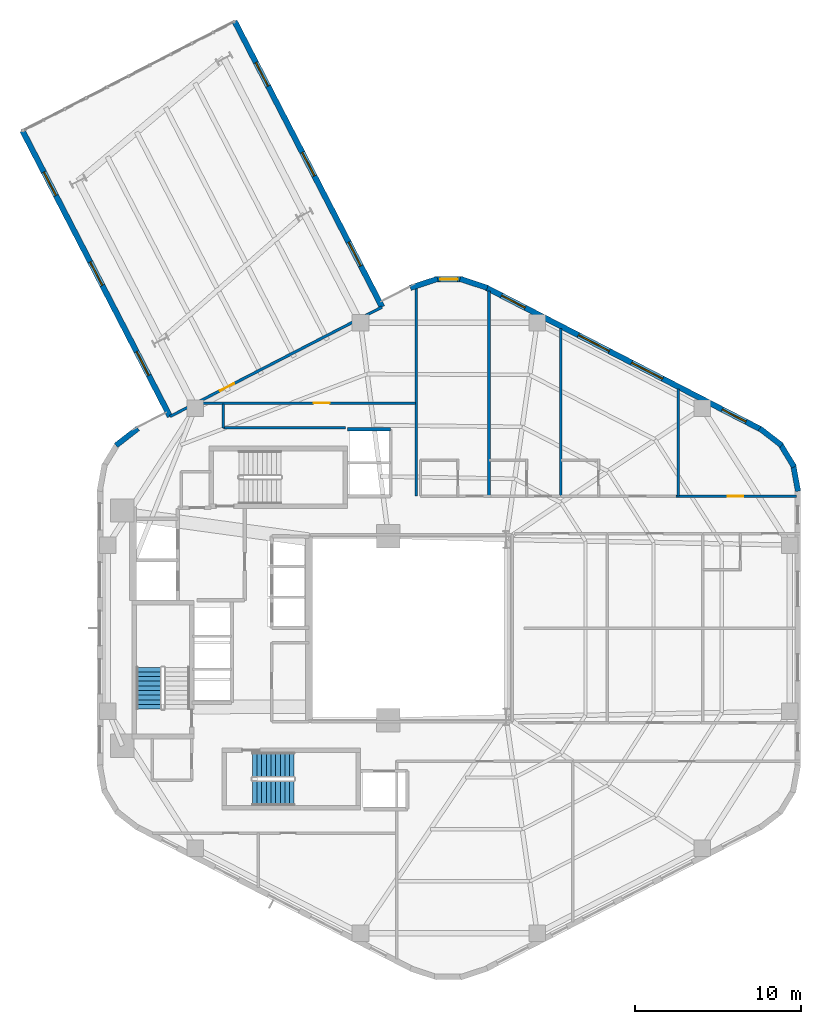
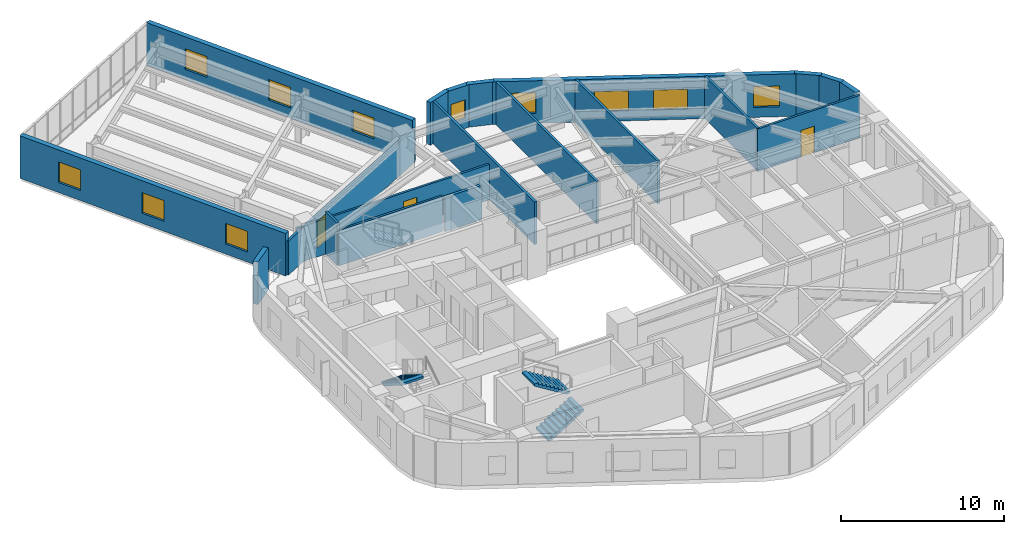
# One storey, part 9 of 11: 20 walls, 11 windows, 3 doors, 3 stair flights, 14 openings, 2 elements without a shape of their own.
"""IFC4 building model written with IfcOpenShell, lengths in metres."""

from ifc_helpers import new_model, si_unit, direction, frame, frame_2d, origin, place, context, subcontext, project, spatial, polyline, rectangle, outline, extrude, material, layer, layer_set, type_object, element, fill, aggregate, save


model = new_model("IFC4")

# Units and contexts
model_context = context("Model", 3, precision=1e-05, world=origin(), true_north=direction((0.0, 1.0)))
body_context = subcontext(model_context, "Body", "Model", "MODEL_VIEW")
ifc_project = project(units=[si_unit("LENGTHUNIT", "METRE"), si_unit("AREAUNIT", "SQUARE_METRE"), si_unit("VOLUMEUNIT", "CUBIC_METRE"), si_unit("PLANEANGLEUNIT", "RADIAN"), si_unit("MASSUNIT", "GRAM", prefix="KILO"), si_unit("THERMODYNAMICTEMPERATUREUNIT", "KELVIN"), si_unit("POWERUNIT", "WATT")], contexts=[model_context])

# Site, building, storey
site_placement = place(None, origin())
site = spatial("IfcSite", under=ifc_project, at=site_placement, CompositionType="ELEMENT")
building_placement = place(site_placement, origin())
building = spatial("IfcBuilding", under=site, at=building_placement, Name="Skarre Station Tower", CompositionType="ELEMENT")
storey_placement = place(building_placement, frame((0.0, 0.0, 146.39990234375)))
storey = spatial("IfcBuildingStorey", under=building, at=storey_placement, Name="L39", CompositionType="ELEMENT", Elevation=146.39990234375)

# Wall, opening, door
ifc_material_1 = material(Name="Acoustic Steel-Stud Gypsum Partition", Category="steel")
ifc_layer_1 = layer(ifc_material_1, 0.14990234375, Name="Acoustic Steel-Stud Gypsum Partition")
ifc_layer_set_1 = layer_set([ifc_layer_1], Name="Acoustic Steel-Stud Gypsum Partition")
wall_type_1 = type_object("IfcWallType", Name="Fire-Rated Corridor Acoustic Partition 150", PredefinedType="PARTITIONING", material=ifc_layer_set_1)
wall_1_placement = place(storey_placement, frame((34.0, 37.580078125, 0.0), z_axis=(0.0, 0.0, 1.0), x_axis=(-1.0, 0.0, 0.0)))
wall_1 = element("IfcWall", 1, at=wall_1_placement, inside=storey, type_object=wall_type_1, Name="L39 Interior Partition WL-PT-L39-NWW1-CW", PredefinedType="PARTITIONING", context=body_context, shape_type="SweptSolid", body=[
    extrude(rectangle(XDim=13.70703125, YDim=0.14990234375, at=frame_2d((6.853515625, 0.0))), origin(), (0.0, 0.0, 1.0), 2.656982421875),
])
opening_1_placement = place(wall_1_placement, frame((5.195068359375, 0.0, 0.0)))
opening_1 = element("IfcOpeningElement", 2, at=opening_1_placement, cuts=wall_1, Name="Opening DR-FD60", PredefinedType="OPENING", context=body_context, shape_type="SweptSolid", body=[
    extrude(rectangle(XDim=0.9599609375, YDim=2.0, at=frame_2d((0.47998046875, 1.0))), frame((0.0, 0.0849609375, 0.0), z_axis=(0.0, -1.0, 0.0), x_axis=(1.0, 0.0, 0.0)), (0.0, 0.0, 1.0), 0.169921875),
])
ifc_material_2 = material(Name="Nordic White-Oak Veneer Solid-Core Fire Leaf", Category="wood")
door_type = type_object("IfcDoorType", Name="Corridor Suite Entry Fire Door FD60 960x2150", OperationType="SINGLE_SWING_LEFT", PredefinedType="DOOR", material=ifc_material_2)
door_1_placement = place(opening_1_placement, origin())
door_1 = element("IfcDoor", 3, at=door_1_placement, inside=storey, type_object=door_type, Name="L39 NWW1 Entry Door", OperationType="SINGLE_SWING_LEFT", OverallHeight=2.0, OverallWidth=0.9599609375, PredefinedType="DOOR", context=body_context, shape_type="SweptSolid", body=[
    extrude(rectangle(XDim=0.9599609375, YDim=2.0, at=frame_2d((0.47998046875, 1.0))), frame((0.0, 0.02490234375, 0.0), z_axis=(0.0, -1.0, 0.0), x_axis=(1.0, 0.0, 0.0)), (0.0, 0.0, 1.0), 0.050048828125),
])
fill(opening_1, door_1)

wall_2_placement = place(storey_placement, frame((56.987060546875, 31.9599609375, 0.0), z_axis=(0.0, 0.0, 1.0), x_axis=(-1.0, 0.0, 0.0)))
wall_2 = element("IfcWall", 4, at=wall_2_placement, inside=storey, type_object=wall_type_1, Name="L39 Interior Partition WL-PT-L39-NW4-CW", PredefinedType="PARTITIONING", context=body_context, shape_type="SweptSolid", body=[
    extrude(rectangle(XDim=7.26904296875, YDim=0.14990234375, at=frame_2d((3.634521484375, 0.0))), origin(), (0.0, 0.0, 1.0), 3.190185546875),
])
opening_2_placement = place(wall_2_placement, frame((3.2119140625, 0.0, 0.0)))
opening_2 = element("IfcOpeningElement", 5, at=opening_2_placement, cuts=wall_2, Name="Opening DR-FD60", PredefinedType="OPENING", context=body_context, shape_type="SweptSolid", body=[
    extrude(rectangle(XDim=0.9599609375, YDim=2.0, at=frame_2d((0.47998046875, 1.0))), frame((0.0, 0.0849609375, 0.0), z_axis=(0.0, -1.0, 0.0), x_axis=(1.0, 0.0, 0.0)), (0.0, 0.0, 1.0), 0.169921875),
])
door_2_placement = place(opening_2_placement, origin())
door_2 = element("IfcDoor", 6, at=door_2_placement, inside=storey, type_object=door_type, Name="L39 NW4 Entry Door", OperationType="SINGLE_SWING_LEFT", OverallHeight=2.0, OverallWidth=0.9599609375, PredefinedType="DOOR", context=body_context, shape_type="SweptSolid", body=[
    extrude(rectangle(XDim=0.9599609375, YDim=2.0, at=frame_2d((0.47998046875, 1.0))), frame((0.0, 0.02490234375, 0.0), z_axis=(0.0, -1.0, 0.0), x_axis=(1.0, 0.0, 0.0)), (0.0, 0.0, 1.0), 0.050048828125),
])
fill(opening_2, door_2)

# Walls
wall_3_placement = place(storey_placement, frame((29.7529296875, 36.080078125, 0.0), z_axis=(0.0, 0.0, 1.0), x_axis=(-1.0, 0.0, 0.0)))
element("IfcWall", 7, at=wall_3_placement, inside=storey, type_object=wall_type_1, Name="L39 Interior Partition WL-PT-L39-CSEAL-1", PredefinedType="PARTITIONING", context=body_context, shape_type="SweptSolid", body=[
    extrude(rectangle(XDim=7.35302734375, YDim=0.14990234375, at=frame_2d((3.676513671875, 0.0))), origin(), (0.0, 0.0, 1.0), 2.656982421875),
])
wall_4_placement = place(storey_placement, frame((22.39990234375, 36.080078125, 0.0), z_axis=(0.0, 0.0, 1.0), x_axis=(0.0, 1.0, 0.0)))
element("IfcWall", 8, at=wall_4_placement, inside=storey, type_object=wall_type_1, Name="L39 Interior Partition WL-PT-L39-CSEAL-2", PredefinedType="PARTITIONING", context=body_context, shape_type="SweptSolid", body=[
    extrude(rectangle(XDim=1.429931640625, YDim=0.14990234375, at=frame_2d((0.71484375, 0.0))), origin(), (0.0, 0.0, 1.0), 3.190185546875),
])

# Wall, openings, windows
ifc_material_3 = material(Name="Precast concrete C45/55", Category="concrete")
ifc_layer_2 = layer(ifc_material_3, 0.340087890625, Name="Precast concrete C45/55")
ifc_layer_set_2 = layer_set([ifc_layer_2], Name="Precast concrete C45/55")
wall_type_2 = type_object("IfcWallType", Name="Nordic Honed Precast Facet Wall 340", PredefinedType="STANDARD", material=ifc_layer_set_2)
wall_5_placement = place(storey_placement, frame((38.23095703125, 44.55810546875, 0.0), z_axis=(0.0, 0.0, 1.0), x_axis=(0.888613612362, -0.458656568606, 0.0)))
wall_5 = element("IfcWall", 9, at=wall_5_placement, inside=storey, type_object=wall_type_2, Name="L39 Facet 0 Nordic Precast Masonry Wall", PredefinedType="STANDARD", context=body_context, shape_type="SweptSolid", body=[
    extrude(rectangle(XDim=18.680908203125, YDim=0.340087890625, at=frame_2d((9.34033203125, 0.0))), origin(), (0.0, 0.0, 1.0), 3.190185546875),
])
opening_3_placement = place(wall_5_placement, frame((1.06591796875, 0.0, 0.75)))
opening_3 = element("IfcOpeningElement", 10, at=opening_3_placement, cuts=wall_5, Name="Opening WN-Z2A", PredefinedType="OPENING", context=body_context, shape_type="SweptSolid", body=[
    extrude(rectangle(XDim=1.60009765625, YDim=1.550048828125, at=frame_2d((0.800048828125, 0.77490234375))), frame((0.0, 0.179931640625, 0.0), z_axis=(0.0, -1.0, 0.0), x_axis=(1.0, 0.0, 0.0)), (0.0, 0.0, 1.0), 0.360107421875),
])
opening_4_placement = place(wall_5_placement, frame((6.280029296875, 0.0, 0.75)))
opening_4 = element("IfcOpeningElement", 11, at=opening_4_placement, cuts=wall_5, Name="Opening WN-Z2B", PredefinedType="OPENING", context=body_context, shape_type="SweptSolid", body=[
    extrude(rectangle(XDim=2.10009765625, YDim=1.5, at=frame_2d((1.050048828125, 0.75))), frame((0.0, 0.179931640625, 0.0), z_axis=(0.0, -1.0, 0.0), x_axis=(1.0, 0.0, 0.0)), (0.0, 0.0, 1.0), 0.360107421875),
])
opening_5_placement = place(wall_5_placement, frame((9.90087890625, 0.0, 0.75)))
opening_5 = element("IfcOpeningElement", 12, at=opening_5_placement, cuts=wall_5, Name="Opening WN-Z2B", PredefinedType="OPENING", context=body_context, shape_type="SweptSolid", body=[
    extrude(rectangle(XDim=2.10009765625, YDim=1.5, at=frame_2d((1.050048828125, 0.75))), frame((0.0, 0.179931640625, 0.0), z_axis=(0.0, -1.0, 0.0), x_axis=(1.0, 0.0, 0.0)), (0.0, 0.0, 1.0), 0.360107421875),
])
opening_6_placement = place(wall_5_placement, frame((16.05810546875, 0.0, 0.75)))
opening_6 = element("IfcOpeningElement", 13, at=opening_6_placement, cuts=wall_5, Name="Opening WN-Z2A", PredefinedType="OPENING", context=body_context, shape_type="SweptSolid", body=[
    extrude(rectangle(XDim=1.60009765625, YDim=1.550048828125, at=frame_2d((0.800048828125, 0.77490234375))), frame((0.0, 0.179931640625, 0.0), z_axis=(0.0, -1.0, 0.0), x_axis=(1.0, 0.0, 0.0)), (0.0, 0.0, 1.0), 0.360107421875),
])
ifc_material_4 = material(Name="Low-Iron Triple Glazing with Bronze Anodized Frame", Category="glass")
window_type_1 = type_object("IfcWindowType", Name="Nordic Residential Tall Window 1600x1550", PartitioningType="SINGLE_PANEL", PredefinedType="WINDOW", material=ifc_material_4)
window_1_placement = place(opening_3_placement, origin())
window_1 = element("IfcWindow", 14, at=window_1_placement, inside=storey, type_object=window_type_1, Name="L39 Facade Window WL-FAC-L39-F0-1", OverallHeight=1.550048828125, OverallWidth=1.60009765625, PartitioningType="SINGLE_PANEL", PredefinedType="WINDOW", context=body_context, shape_type="SweptSolid", body=[
    extrude(rectangle(XDim=1.60009765625, YDim=1.550048828125, at=frame_2d((0.800048828125, 0.77490234375))), frame((0.0, 0.030029296875, 0.0), z_axis=(0.0, -1.0, 0.0), x_axis=(1.0, 0.0, 0.0)), (0.0, 0.0, 1.0), 0.06005859375),
])
fill(opening_3, window_1)
window_2_placement = place(opening_6_placement, origin())
window_2 = element("IfcWindow", 15, at=window_2_placement, inside=storey, type_object=window_type_1, Name="L39 Facade Window WL-FAC-L39-F0-4", OverallHeight=1.550048828125, OverallWidth=1.60009765625, PartitioningType="SINGLE_PANEL", PredefinedType="WINDOW", context=body_context, shape_type="SweptSolid", body=[
    extrude(rectangle(XDim=1.60009765625, YDim=1.550048828125, at=frame_2d((0.800048828125, 0.77490234375))), frame((0.0, 0.030029296875, 0.0), z_axis=(0.0, -1.0, 0.0), x_axis=(1.0, 0.0, 0.0)), (0.0, 0.0, 1.0), 0.06005859375),
])
fill(opening_6, window_2)
window_type_2 = type_object("IfcWindowType", Name="Nordic Residential Twin Window 2100x1500", PartitioningType="SINGLE_PANEL", PredefinedType="WINDOW", material=ifc_material_4)
window_3_placement = place(opening_4_placement, origin())
window_3 = element("IfcWindow", 16, at=window_3_placement, inside=storey, type_object=window_type_2, Name="L39 Facade Window WL-FAC-L39-F0-2", OverallHeight=1.5, OverallWidth=2.10009765625, PartitioningType="SINGLE_PANEL", PredefinedType="WINDOW", context=body_context, shape_type="SweptSolid", body=[
    extrude(rectangle(XDim=2.10009765625, YDim=1.5, at=frame_2d((1.050048828125, 0.75))), frame((0.0, 0.030029296875, 0.0), z_axis=(0.0, -1.0, 0.0), x_axis=(1.0, 0.0, 0.0)), (0.0, 0.0, 1.0), 0.06005859375),
])
fill(opening_4, window_3)
window_4_placement = place(opening_5_placement, origin())
window_4 = element("IfcWindow", 17, at=window_4_placement, inside=storey, type_object=window_type_2, Name="L39 Facade Window WL-FAC-L39-F0-3", OverallHeight=1.5, OverallWidth=2.10009765625, PartitioningType="SINGLE_PANEL", PredefinedType="WINDOW", context=body_context, shape_type="SweptSolid", body=[
    extrude(rectangle(XDim=2.10009765625, YDim=1.5, at=frame_2d((1.050048828125, 0.75))), frame((0.0, 0.030029296875, 0.0), z_axis=(0.0, -1.0, 0.0), x_axis=(1.0, 0.0, 0.0)), (0.0, 0.0, 1.0), 0.06005859375),
])
fill(opening_5, window_4)

wall_6_placement = place(storey_placement, frame((23.074951171875, 60.611083984375, 0.0), z_axis=(0.0, 0.0, 1.0), x_axis=(0.458619197522, -0.888632900395, 0.0)))
wall_6 = element("IfcWall", 18, at=wall_6_placement, inside=storey, type_object=wall_type_2, Name="L39 SB-3 Side 1 Precast Wall", PredefinedType="STANDARD", context=body_context, shape_type="SweptSolid", body=[
    extrude(rectangle(XDim=19.3994140625, YDim=0.340087890625, at=frame_2d((9.69970703125, 0.0))), origin(), (0.0, 0.0, 1.0), 3.190185546875),
])
opening_7_placement = place(wall_6_placement, frame((2.800048828125, 0.0, 0.75)))
opening_7 = element("IfcOpeningElement", 19, at=opening_7_placement, cuts=wall_6, Name="Opening WN-Z2A", PredefinedType="OPENING", context=body_context, shape_type="SweptSolid", body=[
    extrude(rectangle(XDim=1.60009765625, YDim=1.550048828125, at=frame_2d((0.800048828125, 0.77490234375))), frame((0.0, 0.179931640625, 0.0), z_axis=(0.0, -1.0, 0.0), x_axis=(1.0, 0.0, 0.0)), (0.0, 0.0, 1.0), 0.360107421875),
])
opening_8_placement = place(wall_6_placement, frame((8.89990234375, 0.0, 0.75)))
opening_8 = element("IfcOpeningElement", 20, at=opening_8_placement, cuts=wall_6, Name="Opening WN-Z2A", PredefinedType="OPENING", context=body_context, shape_type="SweptSolid", body=[
    extrude(rectangle(XDim=1.60009765625, YDim=1.550048828125, at=frame_2d((0.800048828125, 0.77490234375))), frame((0.0, 0.179931640625, 0.0), z_axis=(0.0, -1.0, 0.0), x_axis=(1.0, 0.0, 0.0)), (0.0, 0.0, 1.0), 0.360107421875),
])
opening_9_placement = place(wall_6_placement, frame((15.0, 0.0, 0.75)))
opening_9 = element("IfcOpeningElement", 21, at=opening_9_placement, cuts=wall_6, Name="Opening WN-Z2A", PredefinedType="OPENING", context=body_context, shape_type="SweptSolid", body=[
    extrude(rectangle(XDim=1.60009765625, YDim=1.550048828125, at=frame_2d((0.800048828125, 0.77490234375))), frame((0.0, 0.179931640625, 0.0), z_axis=(0.0, -1.0, 0.0), x_axis=(1.0, 0.0, 0.0)), (0.0, 0.0, 1.0), 0.360107421875),
])
window_5_placement = place(opening_7_placement, origin())
window_5 = element("IfcWindow", 22, at=window_5_placement, inside=storey, type_object=window_type_1, Name="L39 Facade Window WL-SB-3-L39-S1-1", OverallHeight=1.550048828125, OverallWidth=1.60009765625, PartitioningType="SINGLE_PANEL", PredefinedType="WINDOW", context=body_context, shape_type="SweptSolid", body=[
    extrude(rectangle(XDim=1.60009765625, YDim=1.550048828125, at=frame_2d((0.800048828125, 0.77490234375))), frame((0.0, 0.030029296875, 0.0), z_axis=(0.0, -1.0, 0.0), x_axis=(1.0, 0.0, 0.0)), (0.0, 0.0, 1.0), 0.06005859375),
])
fill(opening_7, window_5)
window_6_placement = place(opening_8_placement, origin())
window_6 = element("IfcWindow", 23, at=window_6_placement, inside=storey, type_object=window_type_1, Name="L39 Facade Window WL-SB-3-L39-S1-2", OverallHeight=1.550048828125, OverallWidth=1.60009765625, PartitioningType="SINGLE_PANEL", PredefinedType="WINDOW", context=body_context, shape_type="SweptSolid", body=[
    extrude(rectangle(XDim=1.60009765625, YDim=1.550048828125, at=frame_2d((0.800048828125, 0.77490234375))), frame((0.0, 0.030029296875, 0.0), z_axis=(0.0, -1.0, 0.0), x_axis=(1.0, 0.0, 0.0)), (0.0, 0.0, 1.0), 0.06005859375),
])
fill(opening_8, window_6)
window_7_placement = place(opening_9_placement, origin())
window_7 = element("IfcWindow", 24, at=window_7_placement, inside=storey, type_object=window_type_1, Name="L39 Facade Window WL-SB-3-L39-S1-3", OverallHeight=1.550048828125, OverallWidth=1.60009765625, PartitioningType="SINGLE_PANEL", PredefinedType="WINDOW", context=body_context, shape_type="SweptSolid", body=[
    extrude(rectangle(XDim=1.60009765625, YDim=1.550048828125, at=frame_2d((0.800048828125, 0.77490234375))), frame((0.0, 0.030029296875, 0.0), z_axis=(0.0, -1.0, 0.0), x_axis=(1.0, 0.0, 0.0)), (0.0, 0.0, 1.0), 0.06005859375),
])
fill(opening_9, window_7)

wall_7_placement = place(storey_placement, frame((19.177001953125, 36.76708984375, 0.0), z_axis=(0.0, 0.0, 1.0), x_axis=(-0.458658947762, 0.88861238436, 0.0)))
wall_7 = element("IfcWall", 25, at=wall_7_placement, inside=storey, type_object=wall_type_2, Name="L39 SB-3 Side 2 Precast Wall", PredefinedType="STANDARD", context=body_context, shape_type="SweptSolid", body=[
    extrude(rectangle(XDim=19.39990234375, YDim=0.340087890625, at=frame_2d((9.699951171875, 0.0))), origin(), (0.0, 0.0, 1.0), 3.190185546875),
])
opening_10_placement = place(wall_7_placement, frame((2.800048828125, 0.0, 0.75)))
opening_10 = element("IfcOpeningElement", 26, at=opening_10_placement, cuts=wall_7, Name="Opening WN-Z2A", PredefinedType="OPENING", context=body_context, shape_type="SweptSolid", body=[
    extrude(rectangle(XDim=1.60009765625, YDim=1.550048828125, at=frame_2d((0.800048828125, 0.77490234375))), frame((0.0, 0.179931640625, 0.0), z_axis=(0.0, -1.0, 0.0), x_axis=(1.0, 0.0, 0.0)), (0.0, 0.0, 1.0), 0.360107421875),
])
opening_11_placement = place(wall_7_placement, frame((8.89990234375, 0.0, 0.75)))
opening_11 = element("IfcOpeningElement", 27, at=opening_11_placement, cuts=wall_7, Name="Opening WN-Z2A", PredefinedType="OPENING", context=body_context, shape_type="SweptSolid", body=[
    extrude(rectangle(XDim=1.60009765625, YDim=1.550048828125, at=frame_2d((0.800048828125, 0.77490234375))), frame((0.0, 0.179931640625, 0.0), z_axis=(0.0, -1.0, 0.0), x_axis=(1.0, 0.0, 0.0)), (0.0, 0.0, 1.0), 0.360107421875),
])
opening_12_placement = place(wall_7_placement, frame((15.0, 0.0, 0.75)))
opening_12 = element("IfcOpeningElement", 28, at=opening_12_placement, cuts=wall_7, Name="Opening WN-Z2A", PredefinedType="OPENING", context=body_context, shape_type="SweptSolid", body=[
    extrude(rectangle(XDim=1.60009765625, YDim=1.550048828125, at=frame_2d((0.800048828125, 0.77490234375))), frame((0.0, 0.179931640625, 0.0), z_axis=(0.0, -1.0, 0.0), x_axis=(1.0, 0.0, 0.0)), (0.0, 0.0, 1.0), 0.360107421875),
])
window_8_placement = place(opening_10_placement, origin())
window_8 = element("IfcWindow", 29, at=window_8_placement, inside=storey, type_object=window_type_1, Name="L39 Facade Window WL-SB-3-L39-S2-1", OverallHeight=1.550048828125, OverallWidth=1.60009765625, PartitioningType="SINGLE_PANEL", PredefinedType="WINDOW", context=body_context, shape_type="SweptSolid", body=[
    extrude(rectangle(XDim=1.60009765625, YDim=1.550048828125, at=frame_2d((0.800048828125, 0.77490234375))), frame((0.0, 0.030029296875, 0.0), z_axis=(0.0, -1.0, 0.0), x_axis=(1.0, 0.0, 0.0)), (0.0, 0.0, 1.0), 0.06005859375),
])
fill(opening_10, window_8)
window_9_placement = place(opening_11_placement, origin())
window_9 = element("IfcWindow", 30, at=window_9_placement, inside=storey, type_object=window_type_1, Name="L39 Facade Window WL-SB-3-L39-S2-2", OverallHeight=1.550048828125, OverallWidth=1.60009765625, PartitioningType="SINGLE_PANEL", PredefinedType="WINDOW", context=body_context, shape_type="SweptSolid", body=[
    extrude(rectangle(XDim=1.60009765625, YDim=1.550048828125, at=frame_2d((0.800048828125, 0.77490234375))), frame((0.0, 0.030029296875, 0.0), z_axis=(0.0, -1.0, 0.0), x_axis=(1.0, 0.0, 0.0)), (0.0, 0.0, 1.0), 0.06005859375),
])
fill(opening_11, window_9)
window_10_placement = place(opening_12_placement, origin())
window_10 = element("IfcWindow", 31, at=window_10_placement, inside=storey, type_object=window_type_1, Name="L39 Facade Window WL-SB-3-L39-S2-3", OverallHeight=1.550048828125, OverallWidth=1.60009765625, PartitioningType="SINGLE_PANEL", PredefinedType="WINDOW", context=body_context, shape_type="SweptSolid", body=[
    extrude(rectangle(XDim=1.60009765625, YDim=1.550048828125, at=frame_2d((0.800048828125, 0.77490234375))), frame((0.0, 0.030029296875, 0.0), z_axis=(0.0, -1.0, 0.0), x_axis=(1.0, 0.0, 0.0)), (0.0, 0.0, 1.0), 0.06005859375),
])
fill(opening_12, window_10)

# Walls
ifc_layer_3 = layer(ifc_material_3, 0.330078125, Name="Precast concrete C45/55")
ifc_layer_set_3 = layer_set([ifc_layer_3], Name="Precast concrete C45/55")
wall_type_3 = type_object("IfcWallType", Name="Nordic Rounded Corner Precast Wall 330", PredefinedType="STANDARD", material=ifc_layer_set_3)
wall_8_placement = place(storey_placement, frame((54.757080078125, 36.050048828125, 0.0), z_axis=(0.0, 0.0, 1.0), x_axis=(0.790621329885, -0.612305408053, 0.0)))
element("IfcWall", 32, at=wall_8_placement, inside=storey, type_object=wall_type_3, Name="L39 Rounded Corner Precast Wall F0-1", PredefinedType="STANDARD", context=body_context, shape_type="SweptSolid", body=[
    extrude(rectangle(XDim=1.67578125, YDim=0.330078125, at=frame_2d((0.837890625, 0.0))), origin(), (0.0, 0.0, 1.0), 3.190185546875),
])
wall_9_placement = place(storey_placement, frame((55.95703125, 35.1640625, 0.0), z_axis=(0.0, 0.0, 1.0), x_axis=(0.520519429557, -0.853849824883, 0.0)))
element("IfcWall", 33, at=wall_9_placement, inside=storey, type_object=wall_type_3, Name="L39 Rounded Corner Precast Wall F0-2", PredefinedType="STANDARD", context=body_context, shape_type="SweptSolid", body=[
    extrude(rectangle(XDim=1.67724609375, YDim=0.330078125, at=frame_2d((0.838623046875, 0.0))), origin(), (0.0, 0.0, 1.0), 3.190185546875),
])
wall_10_placement = place(storey_placement, frame((56.762939453125, 33.906982421875, 0.0), z_axis=(0.0, 0.0, 1.0), x_axis=(0.181984991895, -0.983301308209, 0.0)))
element("IfcWall", 34, at=wall_10_placement, inside=storey, type_object=wall_type_3, Name="L39 Rounded Corner Precast Wall F0-3", PredefinedType="STANDARD", context=body_context, shape_type="SweptSolid", body=[
    extrude(rectangle(XDim=1.677001953125, YDim=0.330078125, at=frame_2d((0.83837890625, 0.0))), origin(), (0.0, 0.0, 1.0), 3.190185546875),
])
wall_11_placement = place(storey_placement, frame((33.680908203125, 44.531982421875, 0.0), z_axis=(0.0, 0.0, 1.0), x_axis=(0.949937416267, 0.312440242569, 0.0)))
element("IfcWall", 35, at=wall_11_placement, inside=storey, type_object=wall_type_3, Name="L39 Rounded Corner Precast Wall F1-1", PredefinedType="STANDARD", context=body_context, shape_type="SweptSolid", body=[
    extrude(rectangle(XDim=1.72216796875, YDim=0.330078125, at=frame_2d((0.861083984375, 0.0))), origin(), (0.0, 0.0, 1.0), 3.190185546875),
])

# Wall, opening, window
wall_12_placement = place(storey_placement, frame((35.138916015625, 45.041015625, 0.0), z_axis=(0.0, 0.0, 1.0), x_axis=(1.0, 0.0, 0.0)))
wall_12 = element("IfcWall", 36, at=wall_12_placement, inside=storey, type_object=wall_type_3, Name="L39 Rounded Corner Precast Wall F1-2", PredefinedType="STANDARD", context=body_context, shape_type="SweptSolid", body=[
    extrude(rectangle(XDim=1.72216796875, YDim=0.330078125, at=frame_2d((0.861083984375, 0.0))), origin(), (0.0, 0.0, 1.0), 3.190185546875),
])
opening_13_placement = place(wall_12_placement, frame((0.3359375, 0.0, 0.75)))
opening_13 = element("IfcOpeningElement", 37, at=opening_13_placement, cuts=wall_12, Name="Opening WN-SLT", PredefinedType="OPENING", context=body_context, shape_type="SweptSolid", body=[
    extrude(rectangle(XDim=1.050048828125, YDim=1.39990234375, at=frame_2d((0.52490234375, 0.699951171875))), frame((0.0, 0.175048828125, 0.0), z_axis=(0.0, -1.0, 0.0), x_axis=(1.0, 0.0, 0.0)), (0.0, 0.0, 1.0), 0.35009765625),
])
window_type_3 = type_object("IfcWindowType", Name="Nordic Corner Slot Window 1050x1400", PartitioningType="SINGLE_PANEL", PredefinedType="WINDOW", material=ifc_material_4)
window_11_placement = place(opening_13_placement, origin())
window_11 = element("IfcWindow", 38, at=window_11_placement, inside=storey, type_object=window_type_3, Name="L39 Apex Corner Slot Window F1-2", OverallHeight=1.39990234375, OverallWidth=1.050048828125, PartitioningType="SINGLE_PANEL", PredefinedType="WINDOW", context=body_context, shape_type="SweptSolid", body=[
    extrude(rectangle(XDim=1.050048828125, YDim=1.39990234375, at=frame_2d((0.52490234375, 0.699951171875))), frame((0.0, 0.030029296875, 0.0), z_axis=(0.0, -1.0, 0.0), x_axis=(1.0, 0.0, 0.0)), (0.0, 0.0, 1.0), 0.06005859375),
])
fill(opening_13, window_11)

# Walls
wall_13_placement = place(storey_placement, frame((36.68310546875, 45.070068359375, 0.0), z_axis=(0.0, 0.0, 1.0), x_axis=(0.949937416267, -0.312440242569, 0.0)))
element("IfcWall", 39, at=wall_13_placement, inside=storey, type_object=wall_type_3, Name="L39 Rounded Corner Precast Wall F1-3", PredefinedType="STANDARD", context=body_context, shape_type="SweptSolid", body=[
    extrude(rectangle(XDim=1.72216796875, YDim=0.330078125, at=frame_2d((0.861083984375, 0.0))), origin(), (0.0, 0.0, 1.0), 3.190185546875),
])
wall_14_placement = place(storey_placement, frame((15.91796875, 35.02392578125, 0.0), z_axis=(0.0, 0.0, 1.0), x_axis=(0.790621329885, 0.612305408053, 0.0)))
element("IfcWall", 40, at=wall_14_placement, inside=storey, type_object=wall_type_3, Name="L39 Rounded Corner Precast Wall F2-3", PredefinedType="STANDARD", context=body_context, shape_type="SweptSolid", body=[
    extrude(rectangle(XDim=1.67578125, YDim=0.330078125, at=frame_2d((0.837890625, 0.0))), origin(), (0.0, 0.0, 1.0), 3.190185546875),
])
ifc_material_5 = material(Name="Gypsum Concrete Shaft Assembly C30/37", Category="concrete")
ifc_layer_4 = layer(ifc_material_5, 0.199951171875, Name="Gypsum Concrete Shaft Assembly C30/37")
ifc_layer_set_4 = layer_set([ifc_layer_4], Name="Gypsum Concrete Shaft Assembly C30/37")
wall_type_4 = type_object("IfcWallType", Name="Shaft & Core Fire Partition 200", PredefinedType="PARTITIONING", material=ifc_layer_set_4)
wall_15_placement = place(storey_placement, frame((29.8798828125, 36.0, 0.0), z_axis=(0.0, 0.0, 1.0), x_axis=(1.0, 0.0, 0.0)))
element("IfcWall", 41, at=wall_15_placement, inside=storey, type_object=wall_type_4, Name="L39 Interior Partition WL-PT-L39-EX-N", PredefinedType="PARTITIONING", context=body_context, shape_type="SweptSolid", body=[
    extrude(rectangle(XDim=2.60009765625, YDim=0.199951171875, at=frame_2d((1.300048828125, 0.0))), origin(), (0.0, 0.0, 1.0), 2.58203125),
])
ifc_layer_5 = layer(ifc_material_1, 0.1650390625, Name="Acoustic Steel-Stud Gypsum Partition")
ifc_layer_set_5 = layer_set([ifc_layer_5], Name="Acoustic Steel-Stud Gypsum Partition")
wall_type_5 = type_object("IfcWallType", Name="Suite Demising Acoustic Partition 165", PredefinedType="PARTITIONING", material=ifc_layer_set_5)
wall_16_placement = place(storey_placement, frame((34.0400390625, 31.9599609375, 0.0), z_axis=(0.0, 0.0, 1.0), x_axis=(0.0, 1.0, 0.0)))
element("IfcWall", 42, at=wall_16_placement, inside=storey, type_object=wall_type_5, Name="L39 Interior Partition WL-PT-L39-NW-WBND", PredefinedType="PARTITIONING", context=body_context, shape_type="SweptSolid", body=[
    extrude(rectangle(XDim=12.55810546875, YDim=0.1650390625, at=frame_2d((6.279052734375, 0.0))), origin(), (0.0, 0.0, 1.0), 3.190185546875),
])
wall_17_placement = place(storey_placement, frame((38.4189453125, 31.969970703125, 0.0), z_axis=(0.0, 0.0, 1.0), x_axis=(0.0, 1.0, 0.0)))
element("IfcWall", 43, at=wall_17_placement, inside=storey, type_object=wall_type_5, Name="L39 Interior Partition WL-PT-L39-NW-P1", PredefinedType="PARTITIONING", context=body_context, shape_type="SweptSolid", body=[
    extrude(rectangle(XDim=12.35595703125, YDim=0.1650390625, at=frame_2d((6.177978515625, 0.0))), origin(), (0.0, 0.0, 1.0), 3.190185546875),
])
wall_18_placement = place(storey_placement, frame((42.758056640625, 31.969970703125, 0.0), z_axis=(0.0, 0.0, 1.0), x_axis=(0.0, 1.0, 0.0)))
element("IfcWall", 44, at=wall_18_placement, inside=storey, type_object=wall_type_5, Name="L39 Interior Partition WL-PT-L39-NW-P2", PredefinedType="PARTITIONING", context=body_context, shape_type="SweptSolid", body=[
    extrude(rectangle(XDim=10.115966796875, YDim=0.1650390625, at=frame_2d((5.05810546875, 0.0))), origin(), (0.0, 0.0, 1.0), 3.190185546875),
])
wall_19_placement = place(storey_placement, frame((49.837890625, 31.969970703125, 0.0), z_axis=(0.0, 0.0, 1.0), x_axis=(0.0, 1.0, 0.0)))
element("IfcWall", 45, at=wall_19_placement, inside=storey, type_object=wall_type_5, Name="L39 Interior Partition WL-PT-L39-NW-P3", PredefinedType="PARTITIONING", context=body_context, shape_type="SweptSolid", body=[
    extrude(rectangle(XDim=6.4619140625, YDim=0.1650390625, at=frame_2d((3.23095703125, 0.0))), origin(), (0.0, 0.0, 1.0), 3.190185546875),
])

# Wall, opening, door
wall_20_placement = place(storey_placement, frame((31.971923828125, 43.3720703125, 0.0), z_axis=(0.0, 0.0, 1.0), x_axis=(-0.888588109751, -0.458705974683, 0.0)))
wall_20 = element("IfcWall", 46, at=wall_20_placement, inside=storey, type_object=wall_type_5, Name="L39 Interior Partition WL-PT-L39-SB-3-ROOT", PredefinedType="PARTITIONING", context=body_context, shape_type="SweptSolid", body=[
    extrude(rectangle(XDim=14.399169921875, YDim=0.1650390625, at=frame_2d((7.19970703125, 0.0))), origin(), (0.0, 0.0, 1.0), 2.56201171875),
])
opening_14_placement = place(wall_20_placement, frame((10.049072265625, 0.0, 0.0)))
opening_14 = element("IfcOpeningElement", 47, at=opening_14_placement, cuts=wall_20, Name="Opening DR-FD60", PredefinedType="OPENING", context=body_context, shape_type="SweptSolid", body=[
    extrude(rectangle(XDim=0.9599609375, YDim=2.0, at=frame_2d((0.47998046875, 1.0))), frame((0.0, 0.092529296875, 0.0), z_axis=(0.0, -1.0, 0.0), x_axis=(1.0, 0.0, 0.0)), (0.0, 0.0, 1.0), 0.18505859375),
])
door_3_placement = place(opening_14_placement, origin())
door_3 = element("IfcDoor", 48, at=door_3_placement, inside=storey, type_object=door_type, Name="L39 SB-3 Horizon Salon Door", OperationType="SINGLE_SWING_LEFT", OverallHeight=2.0, OverallWidth=0.9599609375, PredefinedType="DOOR", context=body_context, shape_type="SweptSolid", body=[
    extrude(rectangle(XDim=0.9599609375, YDim=2.0, at=frame_2d((0.47998046875, 1.0))), frame((0.0, 0.02490234375, 0.0), z_axis=(0.0, -1.0, 0.0), x_axis=(1.0, 0.0, 0.0)), (0.0, 0.0, 1.0), 0.050048828125),
])
fill(opening_14, door_3)

# Stair, stair flight
ifc_material_6 = material(Name="Concrete C40/50", Category="concrete")
stair_type_1 = type_object("IfcStairType", Name="Reinforced Concrete Exit Stair ST-1", PredefinedType="HALF_TURN_STAIR", material=ifc_material_6)
stair_1_placement = place(storey_placement, origin())
stair_1 = element("IfcStair", 49, at=stair_1_placement, inside=storey, type_object=stair_type_1, Name="L39 Core Exit Stair ST-1", PredefinedType="HALF_TURN_STAIR")
stair_flight_type_1 = type_object("IfcStairFlightType", Name="Reinforced Concrete Stair Flight ST-1", PredefinedType="STRAIGHT", material=ifc_material_6)
stair_flight_1_placement = place(storey_placement, frame((17.909912109375, 21.639892578125, 1.72509765625), z_axis=(0.0, 0.0, 1.0), x_axis=(0.0, -1.0, 0.0)))
stair_flight_1 = element("IfcStairFlight", 50, at=stair_flight_1_placement, type_object=stair_flight_type_1, Name="ST-1 flight 2", NumberOfRisers=10, NumberOfTreads=9, PredefinedType="STRAIGHT", RiserHeight=0.1725, TreadLength=0.28, context=body_context, shape_type="SweptSolid", body=[
    extrude(outline(polyline([(0.0, 0.0), (0.0, 0.172607421875), (0.280029296875, 0.172607421875), (0.280029296875, 0.344970703125), (0.56005859375, 0.344970703125), (0.56005859375, 0.517578125), (0.840087890625, 0.517578125), (0.840087890625, 0.68994140625), (1.1201171875, 0.68994140625), (1.1201171875, 0.862548828125), (1.39990234375, 0.862548828125), (1.39990234375, 1.034912109375), (1.679931640625, 1.034912109375), (1.679931640625, 1.20751953125), (1.9599609375, 1.20751953125), (1.9599609375, 1.3798828125), (2.239990234375, 1.3798828125), (2.239990234375, 1.552490234375), (2.52001953125, 1.552490234375), (2.52001953125, 1.72509765625), (2.52001953125, 1.37646484375), (0.285888671875, 0.0), (0.0, 0.0)])), frame((0.0, 0.760009765625, 0.0), z_axis=(0.0, -1.0, 0.0), x_axis=(1.0, 0.0, 0.0)), (0.0, 0.0, 1.0), 1.52001953125),
])
aggregate(stair_1, [stair_flight_1])

# Stair, stair flights
stair_type_2 = type_object("IfcStairType", Name="Reinforced Concrete Exit Stair ST-2", PredefinedType="HALF_TURN_STAIR", material=ifc_material_6)
stair_2_placement = place(storey_placement, origin())
stair_2 = element("IfcStair", 51, at=stair_2_placement, inside=storey, type_object=stair_type_2, Name="L39 Core Exit Stair ST-2", PredefinedType="HALF_TURN_STAIR")
stair_flight_type_2 = type_object("IfcStairFlightType", Name="Reinforced Concrete Stair Flight ST-2", PredefinedType="STRAIGHT", material=ifc_material_6)
stair_flight_2_placement = place(storey_placement, frame((24.14990234375, 14.06005859375, 0.0), z_axis=(0.0, 0.0, 1.0), x_axis=(1.0, 0.0, 0.0)))
stair_flight_2 = element("IfcStairFlight", 52, at=stair_flight_2_placement, type_object=stair_flight_type_2, Name="ST-2 flight 1", NumberOfRisers=10, NumberOfTreads=9, PredefinedType="STRAIGHT", RiserHeight=0.1725, TreadLength=0.28, context=body_context, shape_type="SweptSolid", body=[
    extrude(outline(polyline([(0.0, 0.0), (0.0, 0.172607421875), (0.280029296875, 0.172607421875), (0.280029296875, 0.344970703125), (0.56005859375, 0.344970703125), (0.56005859375, 0.517578125), (0.840087890625, 0.517578125), (0.840087890625, 0.68994140625), (1.1201171875, 0.68994140625), (1.1201171875, 0.862548828125), (1.39990234375, 0.862548828125), (1.39990234375, 1.034912109375), (1.679931640625, 1.034912109375), (1.679931640625, 1.20751953125), (1.9599609375, 1.20751953125), (1.9599609375, 1.3798828125), (2.239990234375, 1.3798828125), (2.239990234375, 1.552490234375), (2.52001953125, 1.552490234375), (2.52001953125, 1.72509765625), (2.52001953125, 1.37646484375), (0.285888671875, 0.0), (0.0, 0.0)])), frame((0.0, 0.760009765625, 0.0), z_axis=(0.0, -1.0, 0.0), x_axis=(1.0, 0.0, 0.0)), (0.0, 0.0, 1.0), 1.52001953125),
])
stair_flight_3_placement = place(storey_placement, frame((26.669921875, 15.739990234375, 1.72509765625), z_axis=(0.0, 0.0, 1.0), x_axis=(-1.0, 0.0, 0.0)))
stair_flight_3 = element("IfcStairFlight", 53, at=stair_flight_3_placement, type_object=stair_flight_type_2, Name="ST-2 flight 2", NumberOfRisers=10, NumberOfTreads=9, PredefinedType="STRAIGHT", RiserHeight=0.1725, TreadLength=0.28, context=body_context, shape_type="SweptSolid", body=[
    extrude(outline(polyline([(0.0, 0.0), (0.0, 0.172607421875), (0.280029296875, 0.172607421875), (0.280029296875, 0.344970703125), (0.56005859375, 0.344970703125), (0.56005859375, 0.517578125), (0.840087890625, 0.517578125), (0.840087890625, 0.68994140625), (1.1201171875, 0.68994140625), (1.1201171875, 0.862548828125), (1.39990234375, 0.862548828125), (1.39990234375, 1.034912109375), (1.679931640625, 1.034912109375), (1.679931640625, 1.20751953125), (1.9599609375, 1.20751953125), (1.9599609375, 1.3798828125), (2.239990234375, 1.3798828125), (2.239990234375, 1.552490234375), (2.52001953125, 1.552490234375), (2.52001953125, 1.72509765625), (2.52001953125, 1.37646484375), (0.285888671875, 0.0), (0.0, 0.0)])), frame((0.0, 0.760009765625, 0.0), z_axis=(0.0, -1.0, 0.0), x_axis=(1.0, 0.0, 0.0)), (0.0, 0.0, 1.0), 1.52001953125),
])
aggregate(stair_2, [stair_flight_2, stair_flight_3])

save(model, "model.ifc")
